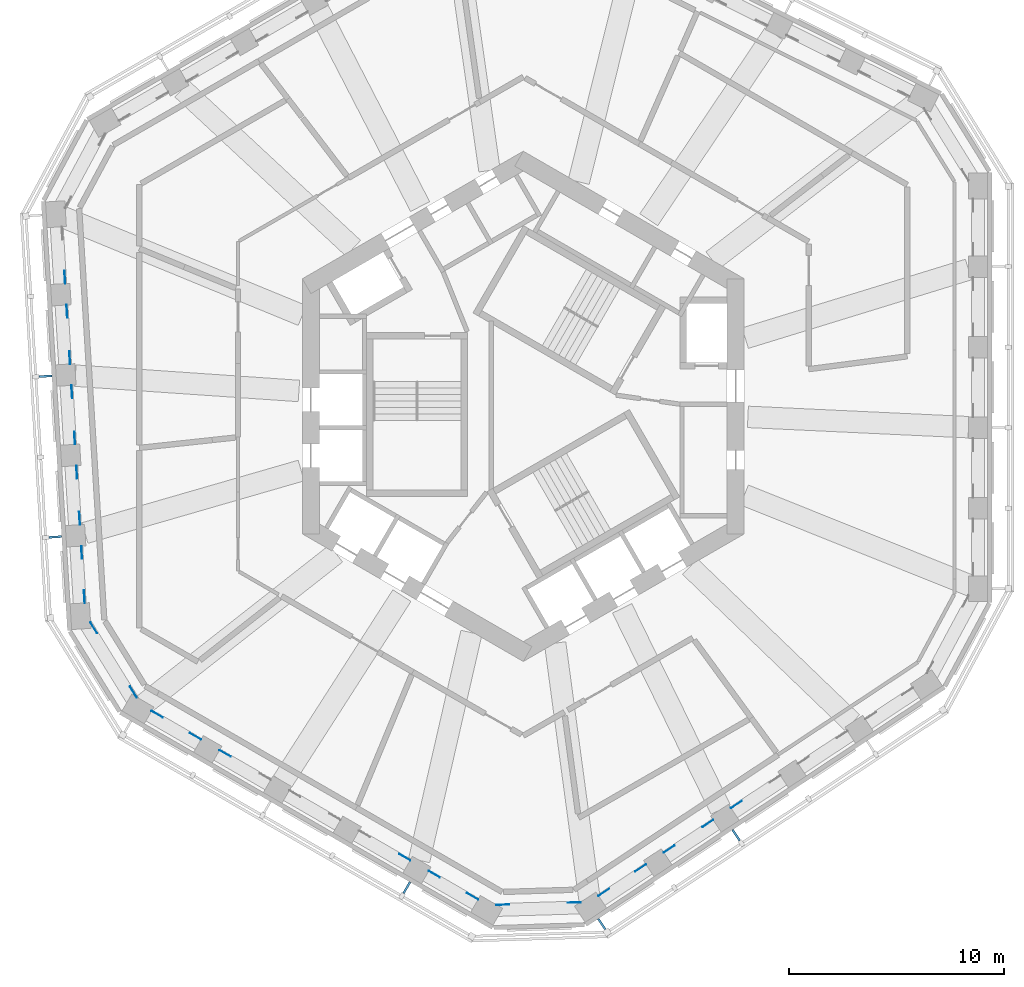
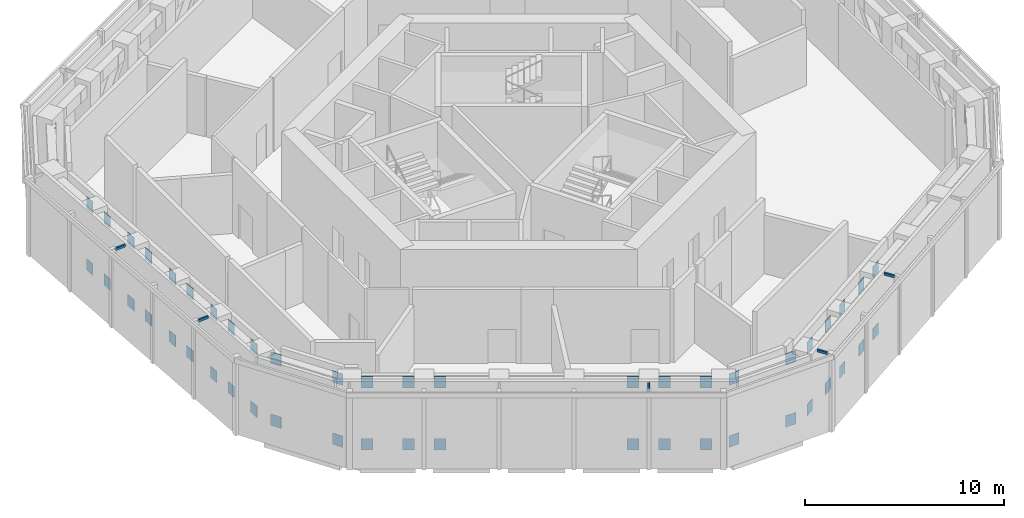
# One storey, part 11 of 15: 53 discrete accessories.
"""IFC4 building model written with IfcOpenShell, lengths in metres."""

from ifc_helpers import new_model, si_unit, direction, frame, origin, origin_2d, place, context, subcontext, project, spatial, rectangle, extrude, material, layer, layer_set, type_object, element, save


model = new_model("IFC4")

# Units and contexts
model_context = context("Model", 3, precision=1e-05, world=origin(), true_north=direction((0.0, 1.0)))
body_context = subcontext(model_context, "Body", "Model", "MODEL_VIEW")
ifc_project = project(units=[si_unit("LENGTHUNIT", "METRE"), si_unit("AREAUNIT", "SQUARE_METRE"), si_unit("VOLUMEUNIT", "CUBIC_METRE"), si_unit("PLANEANGLEUNIT", "RADIAN"), si_unit("MASSUNIT", "GRAM", prefix="KILO")], contexts=[model_context])

# Site, building, storey
site_placement = place(None, origin())
site = spatial("IfcSite", under=ifc_project, at=site_placement, CompositionType="ELEMENT")
building_placement = place(site_placement, origin())
building = spatial("IfcBuilding", under=site, at=building_placement, Name="Vanh Sen Convention Tower", CompositionType="ELEMENT")
storey_placement = place(building_placement, frame((0.0, 0.0, 205.800048828125)))
storey = spatial("IfcBuildingStorey", under=building, at=storey_placement, Name="L51", CompositionType="ELEMENT", Elevation=205.800048828125)

# Discrete accessories
ifc_material_1 = material(Name="Steel S355", Category="steel")
ifc_layer = layer(ifc_material_1, 0.02001953125)
ifc_layer_set = layer_set([ifc_layer], Name="Steel S355")
discrete_accessory_type_1 = type_object("IfcDiscreteAccessoryType", Name="Belt truss gusset plate 600 x 700 x 20", PredefinedType="USERDEFINED", material=ifc_layer_set)
for number, where, z_axis, x_axis, name in (
    (1, (-21.372314453125, 6.016845703125, 0.0), (0.0, 0.0, 1.0), (-0.061053765756, 0.998134478759, 0.0), "GUSSET PLATE belt truss chord bottom 19 L51 end"),
    (2, (-21.372314453125, 6.016845703125, 3.7998046875), (0.0, 0.0, 1.0), (-0.061053765756, 0.998134478759, 0.0), "GUSSET PLATE belt truss chord top 19 L51 end"),
    (3, (-21.275146484375, 4.429931640625, 0.0), (0.0, 0.0, 1.0), (0.061052023682, -0.998134585316, 0.0), "GUSSET PLATE belt truss chord bottom 20 L51 start"),
    (4, (-21.14306640625, 2.269775390625, 0.0), (0.0, 0.0, 1.0), (-0.061052023682, 0.998134585316, 0.0), "GUSSET PLATE belt truss chord bottom 20 L51 end"),
    (5, (-21.275146484375, 4.429931640625, 3.7998046875), (0.0, 0.0, 1.0), (0.061052023682, -0.998134585316, 0.0), "GUSSET PLATE belt truss chord top 20 L51 start"),
    (6, (-21.14306640625, 2.269775390625, 3.7998046875), (0.0, 0.0, 1.0), (-0.061052023682, 0.998134585316, 0.0), "GUSSET PLATE belt truss chord top 20 L51 end"),
    (7, (-21.0458984375, 0.6826171875, 0.0), (0.0, 0.0, 1.0), (0.061053765756, -0.998134478759, 0.0), "GUSSET PLATE belt truss chord bottom 21 L51 start"),
    (8, (-20.913818359375, -1.477294921875, 0.0), (0.0, 0.0, 1.0), (-0.061053765756, 0.998134478759, 0.0), "GUSSET PLATE belt truss chord bottom 21 L51 end"),
    (9, (-21.0458984375, 0.6826171875, 3.7998046875), (0.0, 0.0, 1.0), (0.061053765756, -0.998134478759, 0.0), "GUSSET PLATE belt truss chord top 21 L51 start"),
    (10, (-20.913818359375, -1.477294921875, 3.7998046875), (0.0, 0.0, 1.0), (-0.061053765756, 0.998134478759, 0.0), "GUSSET PLATE belt truss chord top 21 L51 end"),
    (11, (-20.816650390625, -3.064453125, 0.0), (0.0, 0.0, 1.0), (0.061025892559, -0.998136183312, 0.0), "GUSSET PLATE belt truss chord bottom 22 L51 start"),
    (12, (-20.684814453125, -5.224609375, 0.0), (0.0, 0.0, 1.0), (-0.061025892559, 0.998136183312, 0.0), "GUSSET PLATE belt truss chord bottom 22 L51 end"),
    (13, (-20.816650390625, -3.064453125, 3.7998046875), (0.0, 0.0, 1.0), (0.061025892559, -0.998136183312, 0.0), "GUSSET PLATE belt truss chord top 22 L51 start"),
    (14, (-20.684814453125, -5.224609375, 3.7998046875), (0.0, 0.0, 1.0), (-0.061025892559, 0.998136183312, 0.0), "GUSSET PLATE belt truss chord top 22 L51 end"),
    (15, (-20.587646484375, -6.8115234375, 0.0), (0.0, 0.0, 1.0), (0.061053765756, -0.998134478759, 0.0), "GUSSET PLATE belt truss chord bottom 23 L51 start"),
    (16, (-20.461669921875, -8.87158203125, 0.0), (0.0, 0.0, 1.0), (-0.061053765756, 0.998134478759, 0.0), "GUSSET PLATE belt truss chord bottom 23 L51 end"),
    (17, (-20.587646484375, -6.8115234375, 3.7998046875), (0.0, 0.0, 1.0), (0.061053765756, -0.998134478759, 0.0), "GUSSET PLATE belt truss chord top 23 L51 start"),
    (18, (-20.461669921875, -8.87158203125, 3.7998046875), (0.0, 0.0, 1.0), (-0.061053765756, 0.998134478759, 0.0), "GUSSET PLATE belt truss chord top 23 L51 end"),
    (19, (-20.026123046875, -10.327392578125, 0.0), (0.0, 0.0, 1.0), (0.526219860217, -0.850348551309, 0.0), "GUSSET PLATE belt truss chord bottom 24 L51 start"),
    (20, (-18.177978515625, -13.31396484375, 0.0), (0.0, 0.0, 1.0), (-0.526219860217, 0.850348551309, 0.0), "GUSSET PLATE belt truss chord bottom 24 L51 end"),
    (21, (-20.026123046875, -10.327392578125, 3.7998046875), (0.0, 0.0, 1.0), (0.526219860217, -0.850348551309, 0.0), "GUSSET PLATE belt truss chord top 24 L51 start"),
    (22, (-18.177978515625, -13.31396484375, 3.7998046875), (0.0, 0.0, 1.0), (-0.526219860217, 0.850348551309, 0.0), "GUSSET PLATE belt truss chord top 24 L51 end"),
    (23, (-17.069580078125, -14.353271484375, 0.0), (0.0, 0.0, 1.0), (0.86602365845, -0.500003022996, 0.0), "GUSSET PLATE belt truss chord bottom 25 L51 start"),
    (24, (-15.281982421875, -15.38525390625, 0.0), (0.0, 0.0, 1.0), (-0.86602365845, 0.500003022996, 0.0), "GUSSET PLATE belt truss chord bottom 25 L51 end"),
    (25, (-17.069580078125, -14.353271484375, 3.7998046875), (0.0, 0.0, 1.0), (0.86602365845, -0.500003022996, 0.0), "GUSSET PLATE belt truss chord top 25 L51 start"),
    (26, (-15.281982421875, -15.38525390625, 3.7998046875), (0.0, 0.0, 1.0), (-0.86602365845, 0.500003022996, 0.0), "GUSSET PLATE belt truss chord top 25 L51 end"),
    (27, (-13.90478515625, -16.180419921875, 0.0), (0.0, 0.0, 1.0), (0.866028021766, -0.499995465495, 0.0), "GUSSET PLATE belt truss chord bottom 26 L51 start"),
    (28, (-13.90478515625, -16.180419921875, 3.7998046875), (0.0, 0.0, 1.0), (0.866028021766, -0.499995465495, 0.0), "GUSSET PLATE belt truss chord top 26 L51 start"),
    (29, (-5.528564453125, -21.0166015625, 0.0), (0.0, 0.0, 1.0), (-0.866016677006, 0.500015114919, 0.0), "GUSSET PLATE belt truss chord bottom 28 L51 end"),
    (30, (-5.528564453125, -21.0166015625, 3.7998046875), (0.0, 0.0, 1.0), (-0.866016677006, 0.500015114919, 0.0), "GUSSET PLATE belt truss chord top 28 L51 end"),
    (31, (-4.151611328125, -21.8115234375, 0.0), (0.0, 0.0, 1.0), (0.866035002936, -0.499983373414, 0.0), "GUSSET PLATE belt truss chord bottom 29 L51 start"),
    (32, (-2.364013671875, -22.843505859375, 0.0), (0.0, 0.0, 1.0), (-0.866035002936, 0.499983373414, 0.0), "GUSSET PLATE belt truss chord bottom 29 L51 end"),
    (33, (-4.151611328125, -21.8115234375, 3.7998046875), (0.0, 0.0, 1.0), (0.866035002936, -0.499983373414, 0.0), "GUSSET PLATE belt truss chord top 29 L51 start"),
    (34, (-2.364013671875, -22.843505859375, 3.7998046875), (0.0, 0.0, 1.0), (-0.866035002936, 0.499983373414, 0.0), "GUSSET PLATE belt truss chord top 29 L51 end"),
    (35, (-0.959716796875, -23.236572265625, 0.0), (0.0, 0.0, 1.0), (0.999533537535, 0.030540257725, 0.0), "GUSSET PLATE belt truss chord bottom 30 L51 start"),
    (36, (2.376220703125, -23.134521484375, 0.0), (0.0, 0.0, 1.0), (-0.999533537535, -0.030540257725, 0.0), "GUSSET PLATE belt truss chord bottom 30 L51 end"),
    (37, (-0.959716796875, -23.236572265625, 3.7998046875), (0.0, 0.0, 1.0), (0.999533537535, 0.030540257725, 0.0), "GUSSET PLATE belt truss chord top 30 L51 start"),
    (38, (2.376220703125, -23.134521484375, 3.7998046875), (0.0, 0.0, 1.0), (-0.999533537535, -0.030540257725, 0.0), "GUSSET PLATE belt truss chord top 30 L51 end"),
    (39, (3.75390625, -22.656494140625, 0.0), (0.0, 0.0, 1.0), (0.833889675294, 0.551931163677, 0.0), "GUSSET PLATE belt truss chord bottom 31 L51 start"),
    (40, (5.475341796875, -21.517333984375, 0.0), (0.0, 0.0, 1.0), (-0.833889675294, -0.551931163677, 0.0), "GUSSET PLATE belt truss chord bottom 31 L51 end"),
    (41, (3.75390625, -22.656494140625, 3.7998046875), (0.0, 0.0, 1.0), (0.833889675294, 0.551931163677, 0.0), "GUSSET PLATE belt truss chord top 31 L51 start"),
    (42, (5.475341796875, -21.517333984375, 3.7998046875), (0.0, 0.0, 1.0), (-0.833889675294, -0.551931163677, 0.0), "GUSSET PLATE belt truss chord top 31 L51 end"),
    (43, (6.801025390625, -20.6396484375, 0.0), (0.0, 0.0, 1.0), (0.833889675294, 0.551931163677, 0.0), "GUSSET PLATE belt truss chord bottom 32 L51 start"),
    (44, (8.605712890625, -19.4453125, 0.0), (0.0, 0.0, 1.0), (-0.833889675294, -0.551931163677, 0.0), "GUSSET PLATE belt truss chord bottom 32 L51 end"),
    (45, (6.801025390625, -20.6396484375, 3.7998046875), (0.0, 0.0, 1.0), (0.833889675294, 0.551931163677, 0.0), "GUSSET PLATE belt truss chord top 32 L51 start"),
    (46, (8.605712890625, -19.4453125, 3.7998046875), (0.0, 0.0, 1.0), (-0.833889675294, -0.551931163677, 0.0), "GUSSET PLATE belt truss chord top 32 L51 end"),
    (47, (9.931640625, -18.567626953125, 0.0), (0.0, 0.0, 1.0), (0.833877152158, 0.551950083892, 0.0), "GUSSET PLATE belt truss chord bottom 33 L51 start"),
    (48, (9.931640625, -18.567626953125, 3.7998046875), (0.0, 0.0, 1.0), (0.833877152158, 0.551950083892, 0.0), "GUSSET PLATE belt truss chord top 33 L51 start"),
):
    element("IfcDiscreteAccessory", number, at=place(storey_placement, frame(where, z_axis=z_axis, x_axis=x_axis)), inside=storey, type_object=discrete_accessory_type_1, Name=name, ObjectType="GUSSET PLATE", PredefinedType="USERDEFINED", context=body_context, shape_type="SweptSolid", body=[
        extrude(rectangle(XDim=0.60009765625, YDim=0.02001953125, at=origin_2d()), origin(), (0.0, 0.0, 1.0), 0.699951171875),
    ])
ifc_material_2 = material(Name="Steel S355", Category="steel")
discrete_accessory_type_2 = type_object("IfcDiscreteAccessoryType", Name="Fin bracket 100 x 150", PredefinedType="BRACKET", material=ifc_material_2)
for number, where, z_axis, x_axis, name in (
    (49, (-22.277099609375, 1.40380859375, 4.60009765625), (0.0, 0.0, 1.0), (-0.998134798422, -0.061048539535, 0.0), "Fin bracket W-3 L51"),
    (50, (-21.81884765625, -6.09033203125, 4.60009765625), (0.0, 0.0, 1.0), (-0.998134798422, -0.061048539535, 0.0), "Fin bracket W-5 L51"),
    (51, (-5.4326171875, -22.440185546875, 4.60009765625), (0.0, 0.0, 1.0), (-0.5, -0.866025403784, 0.0), "Fin bracket SW-5 L51"),
    (52, (3.66162109375, -24.138671875, 4.60009765625), (0.0, 0.0, 1.0), (0.551936985312, -0.833885822067, 0.0), "Fin bracket SE-1 L51"),
    (53, (9.922607421875, -19.99462890625, 4.60009765625), (0.0, 0.0, 1.0), (0.551936985312, -0.833885822067, 0.0), "Fin bracket SE-3 L51"),
):
    element("IfcDiscreteAccessory", number, at=place(storey_placement, frame(where, z_axis=z_axis, x_axis=x_axis)), inside=storey, type_object=discrete_accessory_type_2, Name=name, PredefinedType="BRACKET", context=body_context, shape_type="SweptSolid", body=[
        extrude(rectangle(XDim=0.60009765625, YDim=0.10009765625, at=origin_2d()), origin(), (0.0, 0.0, 1.0), 0.14990234375),
    ])

save(model, "model.ifc")
